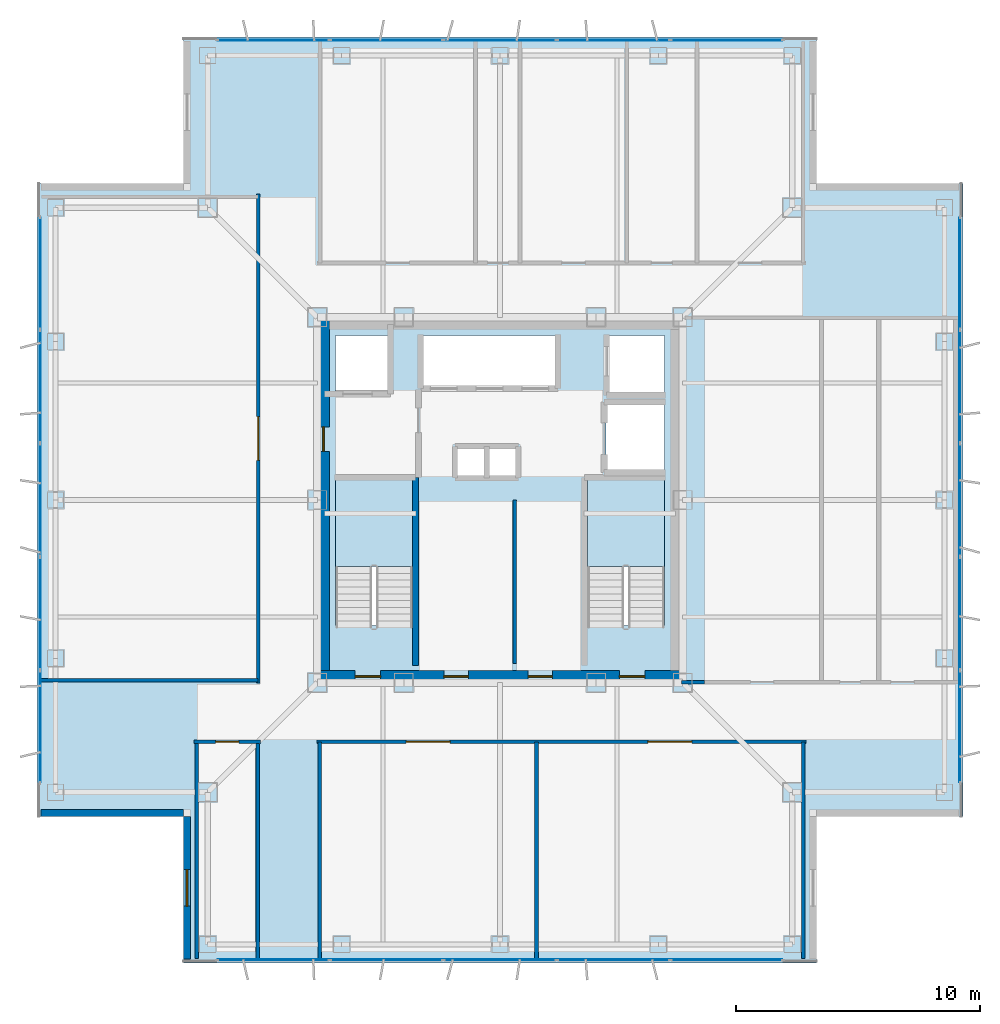
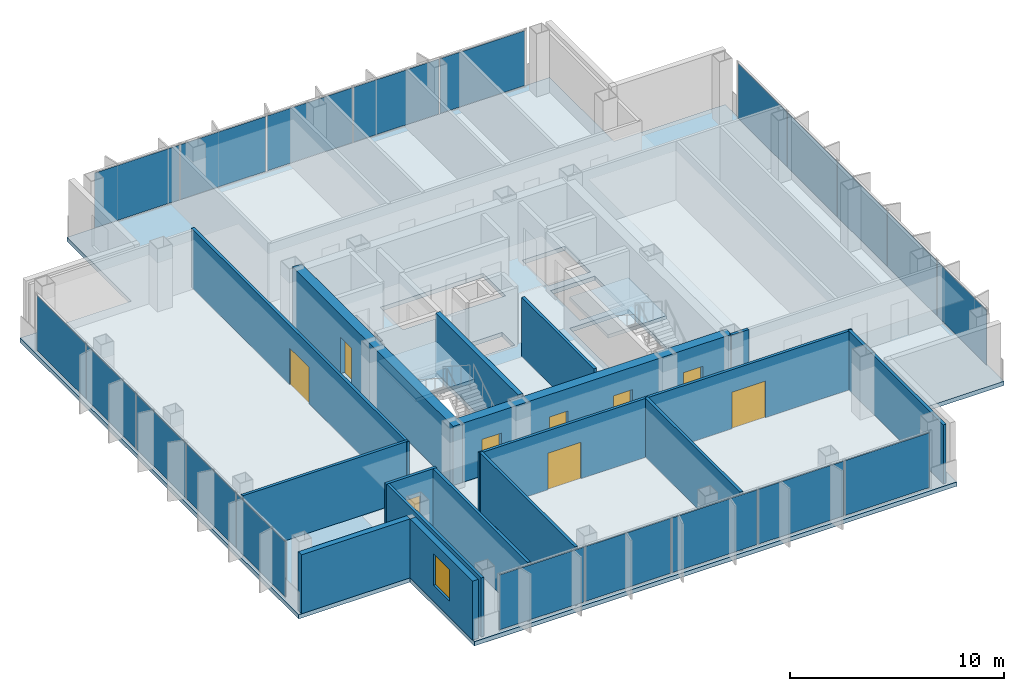
# One storey, part 7 of 15: 20 plates, 16 walls, 9 doors, 3 slabs, 1 window, 10 openings, 6 elements without a shape of their own.
"""IFC4 building model written with IfcOpenShell, lengths in metres."""

import ifcopenshell
import ifcopenshell.guid

model = None  # the IFC model being written
_history = None  # IfcOwnerHistory: only IFC2X3 demands one
_inside = {}  # id of a spatial element -> (the spatial element, [elements in it])
_under = {}  # id of a project, library or spatial element -> (it, [spatial elements below it])
_declared = {}  # id of a project -> (the project, [libraries it declares])
_typed = {}  # id of a type object -> (the type object, [elements of that type])
_made_of = {}  # id of a material, layer set ... -> (it, [elements and type objects made of it])


def new_model(schema):
    """Start an empty IFC model of exactly this schema.

    Asked for "IFC4X3", IfcOpenShell would pick the latest addendum, in which some entities
    have other attributes; the version numbers below select the first issue.
    IFC2X3 requires an IfcOwnerHistory on every rooted entity: one is made here for all.
    """
    global model, _history
    if schema == "IFC4X3":
        model = ifcopenshell.file(schema_version=(4, 3, 0, 0))
    else:
        model = ifcopenshell.file(schema=schema)
    _inside.clear()
    _under.clear()
    _declared.clear()
    _typed.clear()
    _made_of.clear()
    _history = None
    if model.schema == "IFC2X3":
        org = make("IfcOrganization", Name="unknown")
        user = make(
            "IfcPersonAndOrganization",
            ThePerson=make("IfcPerson", FamilyName="unknown"),
            TheOrganization=org,
        )
        app = make(
            "IfcApplication",
            ApplicationDeveloper=org,
            Version="unknown",
            ApplicationFullName="unknown",
            ApplicationIdentifier="unknown",
        )
        _history = make(
            "IfcOwnerHistory",
            OwningUser=user,
            OwningApplication=app,
            ChangeAction="ADDED",
            CreationDate=0,
        )
    return model


def make(cls, **values):
    """One entity of the class cls with the attributes given. An attribute that is None is left unset."""
    return model.create_entity(
        cls, **{name: value for name, value in values.items() if value is not None}
    )


def rooted(cls, **values):
    """An entity with a GlobalId (a new one), such as an element, a storey or a relation."""
    return make(cls, GlobalId=ifcopenshell.guid.new(), OwnerHistory=_history, **values)


def si_unit(unit_type, name, prefix=None):
    """IfcSIUnit, for example si_unit("LENGTHUNIT", "METRE", prefix="MILLI")."""
    return make("IfcSIUnit", UnitType=unit_type, Prefix=prefix, Name=name)


def assignment(units):
    """IfcUnitAssignment: the units of a project."""
    return None if units is None else make("IfcUnitAssignment", Units=units)


def point(xyz):
    """IfcCartesianPoint."""
    return None if xyz is None else make("IfcCartesianPoint", Coordinates=xyz)


def direction(xyz):
    """IfcDirection."""
    return None if xyz is None else make("IfcDirection", DirectionRatios=xyz)


def frame(location, z_axis=None, x_axis=None):
    """IfcAxis2Placement3D, a coordinate frame: its origin and axes. An axis left out is left unset."""
    return make(
        "IfcAxis2Placement3D",
        Location=point(location),
        Axis=direction(z_axis),
        RefDirection=direction(x_axis),
    )


def frame_2d(location, x_axis=None):
    """IfcAxis2Placement2D, a coordinate frame in the plane: its origin and x axis."""
    return make(
        "IfcAxis2Placement2D", Location=point(location), RefDirection=direction(x_axis)
    )


def origin():
    """The frame at (0, 0, 0) with its axes left unset."""
    return frame((0.0, 0.0, 0.0))


def origin_2d():
    """The frame at (0, 0) in the plane with its x axis left unset."""
    return frame_2d((0.0, 0.0))


def place(relative_to, where):
    """IfcLocalPlacement: puts the frame where relative to a parent placement (None: the world)."""
    return make(
        "IfcLocalPlacement", PlacementRelTo=relative_to, RelativePlacement=where
    )


def context(
    kind, dimensions, precision=None, world=None, true_north=None, identifier=None
):
    """IfcGeometricRepresentationContext, for example the 3D "Model" context."""
    return make(
        "IfcGeometricRepresentationContext",
        ContextIdentifier=identifier,
        ContextType=kind,
        CoordinateSpaceDimension=dimensions,
        Precision=precision,
        WorldCoordinateSystem=world,
        TrueNorth=true_north,
    )


def subcontext(parent, identifier, kind, view, scale=None):
    """IfcGeometricRepresentationSubContext, for example "Body" below "Model"."""
    return make(
        "IfcGeometricRepresentationSubContext",
        ContextIdentifier=identifier,
        ContextType=kind,
        ParentContext=parent,
        TargetScale=scale,
        TargetView=view,
    )


def project(units=None, contexts=None):
    """IfcProject with its units and contexts."""
    return rooted(
        "IfcProject",
        Name="project",
        RepresentationContexts=contexts,
        UnitsInContext=assignment(units),
    )


def spatial(cls, under=None, at=None, **own):
    """A site, building, storey or space (cls), placed at a placement, below another one or the project."""
    s = rooted(cls, ObjectPlacement=at, **own)
    if under is not None:
        _under.setdefault(under.id(), (under, []))[1].append(s)
    return s


def polyline(points):
    """IfcPolyline through the points."""
    return make("IfcPolyline", Points=[point(p) for p in points])


def profile(cls, at=None, kind="AREA", **sizes):
    """A parametric profile (cls). Its sizes go by their IFC names, for example OverallWidth=200.0."""
    return make(cls, ProfileType=kind, Position=at, **sizes)


def rectangle(**sizes):
    """IfcRectangleProfileDef."""
    return profile("IfcRectangleProfileDef", **sizes)


def outline(outer, holes=None, kind="AREA"):
    """IfcArbitraryClosedProfileDef: a profile drawn as a closed curve; with holes, ...WithVoids."""
    if holes is None:
        return make("IfcArbitraryClosedProfileDef", ProfileType=kind, OuterCurve=outer)
    return make(
        "IfcArbitraryProfileDefWithVoids",
        ProfileType=kind,
        OuterCurve=outer,
        InnerCurves=holes,
    )


def extrude(swept, where, along, depth):
    """IfcExtrudedAreaSolid: the profile swept, set in the frame where, extruded along a direction by depth."""
    return make(
        "IfcExtrudedAreaSolid",
        SweptArea=swept,
        Position=where,
        ExtrudedDirection=direction(along),
        Depth=depth,
    )


def shape(context_of_items, identifier, shape_type, items):
    """IfcShapeRepresentation: the items that make up one representation, for example the "Body"."""
    return make(
        "IfcShapeRepresentation",
        ContextOfItems=context_of_items,
        RepresentationIdentifier=identifier,
        RepresentationType=shape_type,
        Items=items,
    )


def material(Name=None, Category=None):
    """IfcMaterial."""
    return make("IfcMaterial", Name=Name, Category=Category)


def layer(
    of_material, thickness, ventilated=None, Name=None, Category=None, Priority=None
):
    """IfcMaterialLayer: one layer of a wall or slab, of a material (None: an air gap)."""
    return make(
        "IfcMaterialLayer",
        Material=of_material,
        LayerThickness=thickness,
        IsVentilated=ventilated,
        Name=Name,
        Category=Category,
        Priority=Priority,
    )


def layer_set(layers, Name=None):
    """IfcMaterialLayerSet."""
    return make("IfcMaterialLayerSet", MaterialLayers=layers, LayerSetName=Name)


def made_of(thing, what):
    """Note that an element or type object is made of a material, layer set ...; save() writes the relation."""
    if what is not None:
        _made_of.setdefault(what.id(), (what, []))[1].append(thing)
    return thing


def type_object(cls, material=None, **own):
    """A type object (cls), such as IfcWallType, which elements share."""
    return made_of(rooted(cls, **own), material)


def element(
    cls,
    number,
    at=None,
    inside=None,
    cuts=None,
    type_object=None,
    material=None,
    context=None,
    identifier="Body",
    shape_type=None,
    held_by="IfcProductDefinitionShape",
    body=None,
    shapes=None,
    **own,
):
    """One element of the class cls, such as IfcWall. Its Tag is "e" and its number.

    at: its placement. inside: the storey or other place that contains it. cuts: it is an
    opening in that element (IfcRelVoidsElement). A single representation is given by context,
    identifier, shape_type and body (its items); several are given by shapes. held_by: the class
    of the entity that holds the representations. save() writes the other relations.
    """
    e = rooted(cls, Tag="e%d" % number, ObjectPlacement=at, **own)
    if body is not None:
        shapes = [shape(context, identifier, shape_type, body)]
    if shapes is not None:
        e.Representation = make(held_by, Representations=shapes)
    if inside is not None:
        _inside.setdefault(inside.id(), (inside, []))[1].append(e)
    if cuts is not None:
        rooted(
            "IfcRelVoidsElement", RelatingBuildingElement=cuts, RelatedOpeningElement=e
        )
    if type_object is not None:
        _typed.setdefault(type_object.id(), (type_object, []))[1].append(e)
    return made_of(e, material)


def fill(opening, filler):
    """IfcRelFillsElement: the door or window that sits in an opening."""
    return rooted(
        "IfcRelFillsElement",
        RelatingOpeningElement=opening,
        RelatedBuildingElement=filler,
    )


def aggregate(whole, parts):
    """IfcRelAggregates: a whole, such as a stair, and the parts it consists of."""
    return rooted("IfcRelAggregates", RelatingObject=whole, RelatedObjects=parts)


def save(model, path):
    """Write the relations noted so far, then the file.

    IfcRelAggregates (storeys below a building ...), IfcRelContainedInSpatialStructure (elements
    in a storey), IfcRelDefinesByType, IfcRelAssociatesMaterial and IfcRelDeclares: one each for
    every whole, place, type object, material and project.
    """
    for whole, parts in _under.values():
        aggregate(whole, parts)
    for where, things in _inside.values():
        rooted(
            "IfcRelContainedInSpatialStructure",
            RelatedElements=things,
            RelatingStructure=where,
        )
    for kind, things in _typed.values():
        rooted("IfcRelDefinesByType", RelatedObjects=things, RelatingType=kind)
    for what, things in _made_of.values():
        rooted("IfcRelAssociatesMaterial", RelatedObjects=things, RelatingMaterial=what)
    for by, libraries in _declared.values():
        rooted("IfcRelDeclares", RelatingContext=by, RelatedDefinitions=libraries)
    model.write(path)


model = new_model("IFC4")

# Units and contexts
model_context = context("Model", 3, precision=1e-05, world=origin(), true_north=direction((0.0, 1.0)))
body_context = subcontext(model_context, "Body", "Model", "MODEL_VIEW")
ifc_project = project(units=[si_unit("LENGTHUNIT", "METRE"), si_unit("AREAUNIT", "SQUARE_METRE"), si_unit("VOLUMEUNIT", "CUBIC_METRE"), si_unit("PLANEANGLEUNIT", "RADIAN"), si_unit("MASSUNIT", "GRAM", prefix="KILO")], contexts=[model_context])

# Site, building, storey
site_placement = place(None, origin())
site = spatial("IfcSite", under=ifc_project, at=site_placement, CompositionType="ELEMENT")
building_placement = place(site_placement, origin())
building = spatial("IfcBuilding", under=site, at=building_placement, Name="Trevonay Congress Spire", CompositionType="ELEMENT")
storey_placement = place(building_placement, frame((0.0, 0.0, 272.0)))
storey = spatial("IfcBuildingStorey", under=building, at=storey_placement, Name="L71", CompositionType="ELEMENT", Elevation=272.0)

# Curtain wall, plates
ifc_material_1 = material(Name="Pale Anodised Aluminium EN AW-6063-T6", Category="aluminium")
ifc_layer_1 = layer(ifc_material_1, 0.1650390625, Name="Pale Anodised Aluminium EN AW-6063-T6")
ifc_layer_set_1 = layer_set([ifc_layer_1], Name="Pale Anodised Aluminium EN AW-6063-T6")
curtain_wall_type = type_object("IfcCurtainWallType", Name="CW-SYS05-DIPLOM-PALE-METAL", PredefinedType="NOTDEFINED", material=ifc_layer_set_1)
curtain_wall_1_placement = place(storey_placement, origin())
curtain_wall_1 = element("IfcCurtainWall", 1, at=curtain_wall_1_placement, inside=storey, type_object=curtain_wall_type, Name="L71 S unitised curtain wall", PredefinedType="NOTDEFINED")
ifc_material_2 = material(Name="Insulated Low-E Vision Glass IGU", Category="glass")
ifc_layer_2 = layer(ifc_material_2, 0.035888671875, Name="Insulated Low-E Vision Glass IGU")
ifc_layer_set_2 = layer_set([ifc_layer_2], Name="Insulated Low-E Vision Glass IGU")
plate_type = type_object("IfcPlateType", Name="CW-PANEL-IGU36-SILVER", PredefinedType="CURTAIN_PANEL", material=ifc_layer_set_2)
plate_1_placement = place(storey_placement, frame((-9.304931640625, -18.8798828125, 0.119873046875), z_axis=(0.0, 0.0, 1.0), x_axis=(1.0, 0.0, 0.0)))
plate_1 = element("IfcPlate", 2, at=plate_1_placement, type_object=plate_type, Name="CW05 panel 1.1", PredefinedType="CURTAIN_PANEL", context=body_context, shape_type="SweptSolid", body=[
    extrude(rectangle(XDim=4.570068359375, YDim=0.035888671875, at=origin_2d()), origin(), (0.0, 0.0, 1.0), 3.1201171875),
])
plate_2_placement = place(storey_placement, frame((-4.659912109375, -18.8798828125, 0.119873046875), z_axis=(0.0, 0.0, 1.0), x_axis=(1.0, 0.0, 0.0)))
plate_2 = element("IfcPlate", 3, at=plate_2_placement, type_object=plate_type, Name="CW05 panel 2.1", PredefinedType="CURTAIN_PANEL", context=body_context, shape_type="SweptSolid", body=[
    extrude(rectangle(XDim=4.60009765625, YDim=0.035888671875, at=origin_2d()), origin(), (0.0, 0.0, 1.0), 3.1201171875),
])
plate_3_placement = place(storey_placement, frame((0.0, -18.8798828125, 0.119873046875), z_axis=(0.0, 0.0, 1.0), x_axis=(1.0, 0.0, 0.0)))
plate_3 = element("IfcPlate", 4, at=plate_3_placement, type_object=plate_type, Name="CW05 panel 3.1", PredefinedType="CURTAIN_PANEL", context=body_context, shape_type="SweptSolid", body=[
    extrude(rectangle(XDim=4.60009765625, YDim=0.035888671875, at=origin_2d()), origin(), (0.0, 0.0, 1.0), 3.1201171875),
])
plate_4_placement = place(storey_placement, frame((4.659912109375, -18.8798828125, 0.119873046875), z_axis=(0.0, 0.0, 1.0), x_axis=(1.0, 0.0, 0.0)))
plate_4 = element("IfcPlate", 5, at=plate_4_placement, type_object=plate_type, Name="CW05 panel 4.1", PredefinedType="CURTAIN_PANEL", context=body_context, shape_type="SweptSolid", body=[
    extrude(rectangle(XDim=4.60009765625, YDim=0.035888671875, at=origin_2d()), origin(), (0.0, 0.0, 1.0), 3.1201171875),
])
plate_5_placement = place(storey_placement, frame((9.304931640625, -18.8798828125, 0.119873046875), z_axis=(0.0, 0.0, 1.0), x_axis=(1.0, 0.0, 0.0)))
plate_5 = element("IfcPlate", 6, at=plate_5_placement, type_object=plate_type, Name="CW05 panel 5.1", PredefinedType="CURTAIN_PANEL", context=body_context, shape_type="SweptSolid", body=[
    extrude(rectangle(XDim=4.570068359375, YDim=0.035888671875, at=origin_2d()), origin(), (0.0, 0.0, 1.0), 3.1201171875),
])
aggregate(curtain_wall_1, [plate_1, plate_2, plate_3, plate_4, plate_5])

curtain_wall_2_placement = place(storey_placement, origin())
curtain_wall_2 = element("IfcCurtainWall", 7, at=curtain_wall_2_placement, inside=storey, type_object=curtain_wall_type, Name="L71 N unitised curtain wall", PredefinedType="NOTDEFINED")
plate_6_placement = place(storey_placement, frame((-9.304931640625, 18.8798828125, 0.119873046875), z_axis=(0.0, 0.0, 1.0), x_axis=(1.0, 0.0, 0.0)))
plate_6 = element("IfcPlate", 8, at=plate_6_placement, type_object=plate_type, Name="CW05 panel 1.1", PredefinedType="CURTAIN_PANEL", context=body_context, shape_type="SweptSolid", body=[
    extrude(rectangle(XDim=4.570068359375, YDim=0.035888671875, at=origin_2d()), origin(), (0.0, 0.0, 1.0), 3.1201171875),
])
plate_7_placement = place(storey_placement, frame((-4.659912109375, 18.8798828125, 0.119873046875), z_axis=(0.0, 0.0, 1.0), x_axis=(1.0, 0.0, 0.0)))
plate_7 = element("IfcPlate", 9, at=plate_7_placement, type_object=plate_type, Name="CW05 panel 2.1", PredefinedType="CURTAIN_PANEL", context=body_context, shape_type="SweptSolid", body=[
    extrude(rectangle(XDim=4.60009765625, YDim=0.035888671875, at=origin_2d()), origin(), (0.0, 0.0, 1.0), 3.1201171875),
])
plate_8_placement = place(storey_placement, frame((0.0, 18.8798828125, 0.119873046875), z_axis=(0.0, 0.0, 1.0), x_axis=(1.0, 0.0, 0.0)))
plate_8 = element("IfcPlate", 10, at=plate_8_placement, type_object=plate_type, Name="CW05 panel 3.1", PredefinedType="CURTAIN_PANEL", context=body_context, shape_type="SweptSolid", body=[
    extrude(rectangle(XDim=4.60009765625, YDim=0.035888671875, at=origin_2d()), origin(), (0.0, 0.0, 1.0), 3.1201171875),
])
plate_9_placement = place(storey_placement, frame((4.659912109375, 18.8798828125, 0.119873046875), z_axis=(0.0, 0.0, 1.0), x_axis=(1.0, 0.0, 0.0)))
plate_9 = element("IfcPlate", 11, at=plate_9_placement, type_object=plate_type, Name="CW05 panel 4.1", PredefinedType="CURTAIN_PANEL", context=body_context, shape_type="SweptSolid", body=[
    extrude(rectangle(XDim=4.60009765625, YDim=0.035888671875, at=origin_2d()), origin(), (0.0, 0.0, 1.0), 3.1201171875),
])
plate_10_placement = place(storey_placement, frame((9.304931640625, 18.8798828125, 0.119873046875), z_axis=(0.0, 0.0, 1.0), x_axis=(1.0, 0.0, 0.0)))
plate_10 = element("IfcPlate", 12, at=plate_10_placement, type_object=plate_type, Name="CW05 panel 5.1", PredefinedType="CURTAIN_PANEL", context=body_context, shape_type="SweptSolid", body=[
    extrude(rectangle(XDim=4.570068359375, YDim=0.035888671875, at=origin_2d()), origin(), (0.0, 0.0, 1.0), 3.1201171875),
])
aggregate(curtain_wall_2, [plate_6, plate_7, plate_8, plate_9, plate_10])

curtain_wall_3_placement = place(storey_placement, origin())
curtain_wall_3 = element("IfcCurtainWall", 13, at=curtain_wall_3_placement, inside=storey, type_object=curtain_wall_type, Name="L71 W unitised curtain wall", PredefinedType="NOTDEFINED")
plate_11_placement = place(storey_placement, frame((-18.8798828125, -9.304931640625, 0.119873046875), z_axis=(0.0, 0.0, 1.0), x_axis=(0.0, 1.0, 0.0)))
plate_11 = element("IfcPlate", 14, at=plate_11_placement, type_object=plate_type, Name="CW05 panel 1.1", PredefinedType="CURTAIN_PANEL", context=body_context, shape_type="SweptSolid", body=[
    extrude(rectangle(XDim=4.570068359375, YDim=0.035888671875, at=origin_2d()), origin(), (0.0, 0.0, 1.0), 3.1201171875),
])
plate_12_placement = place(storey_placement, frame((-18.8798828125, -4.659912109375, 0.119873046875), z_axis=(0.0, 0.0, 1.0), x_axis=(0.0, 1.0, 0.0)))
plate_12 = element("IfcPlate", 15, at=plate_12_placement, type_object=plate_type, Name="CW05 panel 2.1", PredefinedType="CURTAIN_PANEL", context=body_context, shape_type="SweptSolid", body=[
    extrude(rectangle(XDim=4.60009765625, YDim=0.035888671875, at=origin_2d()), origin(), (0.0, 0.0, 1.0), 3.1201171875),
])
plate_13_placement = place(storey_placement, frame((-18.8798828125, 0.0, 0.119873046875), z_axis=(0.0, 0.0, 1.0), x_axis=(0.0, 1.0, 0.0)))
plate_13 = element("IfcPlate", 16, at=plate_13_placement, type_object=plate_type, Name="CW05 panel 3.1", PredefinedType="CURTAIN_PANEL", context=body_context, shape_type="SweptSolid", body=[
    extrude(rectangle(XDim=4.60009765625, YDim=0.035888671875, at=origin_2d()), origin(), (0.0, 0.0, 1.0), 3.1201171875),
])
plate_14_placement = place(storey_placement, frame((-18.8798828125, 4.659912109375, 0.119873046875), z_axis=(0.0, 0.0, 1.0), x_axis=(0.0, 1.0, 0.0)))
plate_14 = element("IfcPlate", 17, at=plate_14_placement, type_object=plate_type, Name="CW05 panel 4.1", PredefinedType="CURTAIN_PANEL", context=body_context, shape_type="SweptSolid", body=[
    extrude(rectangle(XDim=4.60009765625, YDim=0.035888671875, at=origin_2d()), origin(), (0.0, 0.0, 1.0), 3.1201171875),
])
plate_15_placement = place(storey_placement, frame((-18.8798828125, 9.304931640625, 0.119873046875), z_axis=(0.0, 0.0, 1.0), x_axis=(0.0, 1.0, 0.0)))
plate_15 = element("IfcPlate", 18, at=plate_15_placement, type_object=plate_type, Name="CW05 panel 5.1", PredefinedType="CURTAIN_PANEL", context=body_context, shape_type="SweptSolid", body=[
    extrude(rectangle(XDim=4.570068359375, YDim=0.035888671875, at=origin_2d()), origin(), (0.0, 0.0, 1.0), 3.1201171875),
])
aggregate(curtain_wall_3, [plate_11, plate_12, plate_13, plate_14, plate_15])

curtain_wall_4_placement = place(storey_placement, origin())
curtain_wall_4 = element("IfcCurtainWall", 19, at=curtain_wall_4_placement, inside=storey, type_object=curtain_wall_type, Name="L71 E unitised curtain wall", PredefinedType="NOTDEFINED")
plate_16_placement = place(storey_placement, frame((18.8798828125, -9.304931640625, 0.119873046875), z_axis=(0.0, 0.0, 1.0), x_axis=(0.0, 1.0, 0.0)))
plate_16 = element("IfcPlate", 20, at=plate_16_placement, type_object=plate_type, Name="CW05 panel 1.1", PredefinedType="CURTAIN_PANEL", context=body_context, shape_type="SweptSolid", body=[
    extrude(rectangle(XDim=4.570068359375, YDim=0.035888671875, at=origin_2d()), origin(), (0.0, 0.0, 1.0), 3.1201171875),
])
plate_17_placement = place(storey_placement, frame((18.8798828125, -4.659912109375, 0.119873046875), z_axis=(0.0, 0.0, 1.0), x_axis=(0.0, 1.0, 0.0)))
plate_17 = element("IfcPlate", 21, at=plate_17_placement, type_object=plate_type, Name="CW05 panel 2.1", PredefinedType="CURTAIN_PANEL", context=body_context, shape_type="SweptSolid", body=[
    extrude(rectangle(XDim=4.60009765625, YDim=0.035888671875, at=origin_2d()), origin(), (0.0, 0.0, 1.0), 3.1201171875),
])
plate_18_placement = place(storey_placement, frame((18.8798828125, 0.0, 0.119873046875), z_axis=(0.0, 0.0, 1.0), x_axis=(0.0, 1.0, 0.0)))
plate_18 = element("IfcPlate", 22, at=plate_18_placement, type_object=plate_type, Name="CW05 panel 3.1", PredefinedType="CURTAIN_PANEL", context=body_context, shape_type="SweptSolid", body=[
    extrude(rectangle(XDim=4.60009765625, YDim=0.035888671875, at=origin_2d()), origin(), (0.0, 0.0, 1.0), 3.1201171875),
])
plate_19_placement = place(storey_placement, frame((18.8798828125, 4.659912109375, 0.119873046875), z_axis=(0.0, 0.0, 1.0), x_axis=(0.0, 1.0, 0.0)))
plate_19 = element("IfcPlate", 23, at=plate_19_placement, type_object=plate_type, Name="CW05 panel 4.1", PredefinedType="CURTAIN_PANEL", context=body_context, shape_type="SweptSolid", body=[
    extrude(rectangle(XDim=4.60009765625, YDim=0.035888671875, at=origin_2d()), origin(), (0.0, 0.0, 1.0), 3.1201171875),
])
plate_20_placement = place(storey_placement, frame((18.8798828125, 9.304931640625, 0.119873046875), z_axis=(0.0, 0.0, 1.0), x_axis=(0.0, 1.0, 0.0)))
plate_20 = element("IfcPlate", 24, at=plate_20_placement, type_object=plate_type, Name="CW05 panel 5.1", PredefinedType="CURTAIN_PANEL", context=body_context, shape_type="SweptSolid", body=[
    extrude(rectangle(XDim=4.570068359375, YDim=0.035888671875, at=origin_2d()), origin(), (0.0, 0.0, 1.0), 3.1201171875),
])
aggregate(curtain_wall_4, [plate_16, plate_17, plate_18, plate_19, plate_20])

# Stair, slab
ifc_material_3 = material(Name="Concrete C40/50", Category="concrete")
stair_type_1 = type_object("IfcStairType", Name="STR-ST-1", PredefinedType="HALF_TURN_STAIR", material=ifc_material_3)
stair_1_placement = place(storey_placement, origin())
stair_1 = element("IfcStair", 25, at=stair_1_placement, inside=storey, type_object=stair_type_1, Name="L71 Protected Exit Stair ST-1", PredefinedType="HALF_TURN_STAIR")
ifc_layer_3 = layer(ifc_material_3, 0.199951171875, Name="Concrete C40/50")
ifc_layer_set_3 = layer_set([ifc_layer_3], Name="Concrete C40/50")
slab_type_1 = type_object("IfcSlabType", Name="SLB-STAIR-LAND-200", PredefinedType="LANDING", material=ifc_layer_set_3)
slab_1_placement = place(storey_placement, frame((0.0, 0.0, 1.60009765625)))
slab_1 = element("IfcSlab", 26, at=slab_1_placement, type_object=slab_type_1, Name="ST-1 landing 1", PredefinedType="LANDING", context=body_context, shape_type="SweptSolid", body=[
    extrude(outline(polyline([(-3.60009765625, -2.72998046875), (-3.60009765625, 0.85009765625), (-6.75, 0.85009765625), (-6.75, -2.72998046875), (-3.60009765625, -2.72998046875)])), origin(), (0.0, 0.0, 1.0), 0.199951171875),
])
aggregate(stair_1, [slab_1])

stair_type_2 = type_object("IfcStairType", Name="STR-ST-2", PredefinedType="HALF_TURN_STAIR", material=ifc_material_3)
stair_2_placement = place(storey_placement, origin())
stair_2 = element("IfcStair", 27, at=stair_2_placement, inside=storey, type_object=stair_type_2, Name="L71 Protected Exit Stair ST-2", PredefinedType="HALF_TURN_STAIR")
slab_2_placement = place(storey_placement, frame((0.0, 0.0, 1.60009765625)))
slab_2 = element("IfcSlab", 28, at=slab_2_placement, type_object=slab_type_1, Name="ST-2 landing 1", PredefinedType="LANDING", context=body_context, shape_type="SweptSolid", body=[
    extrude(outline(polyline([(6.75, -2.72998046875), (6.75, 0.85009765625), (3.60009765625, 0.85009765625), (3.60009765625, -2.72998046875), (6.75, -2.72998046875)])), origin(), (0.0, 0.0, 1.0), 0.199951171875),
])
aggregate(stair_2, [slab_2])

# Slab
ifc_layer_4 = layer(ifc_material_3, 0.239990234375, Name="Concrete C40/50")
ifc_layer_set_4 = layer_set([ifc_layer_4], Name="Concrete C40/50")
slab_type_2 = type_object("IfcSlabType", Name="SLB-TOW2-240", PredefinedType="FLOOR", material=ifc_layer_set_4)
slab_3_placement = place(storey_placement, frame((0.0, 0.0, -0.239990234375)))
element("IfcSlab", 29, at=slab_3_placement, inside=storey, type_object=slab_type_2, Name="L71 structural floor slab", PredefinedType="FLOOR", context=body_context, shape_type="SweptSolid", body=[
    extrude(outline(polyline([(-13.0, -19.0), (13.0, -19.0), (13.0, -13.0), (19.0, -13.0), (19.0, 13.0), (13.0, 13.0), (13.0, 19.0), (-13.0, 19.0), (-13.0, 13.0), (-19.0, 13.0), (-19.0, -13.0), (-13.0, -13.0), (-13.0, -19.0)]), holes=[polyline([(-3.60009765625, -5.14990234375), (-3.60009765625, 0.85009765625), (-6.75, 0.85009765625), (-6.75, -5.14990234375), (-3.60009765625, -5.14990234375)]), polyline([(6.75, -5.14990234375), (6.75, 0.85009765625), (3.60009765625, 0.85009765625), (3.60009765625, -5.14990234375), (6.75, -5.14990234375)]), polyline([(-3.199951171875, 4.64990234375), (2.340087890625, 4.64990234375), (2.340087890625, 6.75), (-3.199951171875, 6.75), (-3.199951171875, 4.64990234375)]), polyline([(-6.75, 4.35009765625), (-4.449951171875, 4.35009765625), (-4.449951171875, 6.75), (-6.75, 6.75), (-6.75, 4.35009765625)]), polyline([(4.449951171875, 4.35009765625), (6.75, 4.35009765625), (6.75, 6.75), (4.449951171875, 6.75), (4.449951171875, 4.35009765625)]), polyline([(4.35009765625, 1.199951171875), (6.75, 1.199951171875), (6.75, 3.949951171875), (4.35009765625, 3.949951171875), (4.35009765625, 1.199951171875)]), polyline([(-1.800048828125, 0.949951171875), (0.699951171875, 0.949951171875), (0.699951171875, 2.14990234375), (-1.800048828125, 2.14990234375), (-1.800048828125, 0.949951171875)])]), origin(), (0.0, 0.0, 1.0), 0.239990234375),
])

# Wall, openings, doors
ifc_material_4 = material(Name="Concrete C50/60", Category="concrete")
ifc_layer_5 = layer(ifc_material_4, 0.5, Name="Concrete C50/60")
ifc_layer_set_5 = layer_set([ifc_layer_5], Name="Concrete C50/60")
wall_type_1 = type_object("IfcWallType", Name="WAL-CORE-500", PredefinedType="SHEAR", material=ifc_layer_set_5)
wall_1_placement = place(storey_placement, frame((-7.5, -7.25, 0.0), z_axis=(0.0, 0.0, 1.0), x_axis=(1.0, 0.0, 0.0)))
wall_1 = element("IfcWall", 30, at=wall_1_placement, inside=storey, type_object=wall_type_1, Name="L71 South structural core shear wall", PredefinedType="SHEAR", context=body_context, shape_type="SweptSolid", body=[
    extrude(rectangle(XDim=15.0, YDim=0.5, at=frame_2d((7.5, 0.0))), origin(), (0.0, 0.0, 1.0), 3.360107421875),
])
opening_1_placement = place(wall_1_placement, frame((1.550048828125, 0.0, 0.0)))
opening_1 = element("IfcOpeningElement", 31, at=opening_1_placement, cuts=wall_1, Name="Opening D05", PredefinedType="OPENING", context=body_context, shape_type="SweptSolid", body=[
    extrude(rectangle(XDim=1.050048828125, YDim=2.080078125, at=frame_2d((0.52490234375, 1.0400390625))), frame((0.0, 0.260009765625, 0.0), z_axis=(0.0, -1.0, 0.0), x_axis=(1.0, 0.0, 0.0)), (0.0, 0.0, 1.0), 0.52001953125),
])
opening_2_placement = place(wall_1_placement, frame((12.39990234375, 0.0, 0.0)))
opening_2 = element("IfcOpeningElement", 32, at=opening_2_placement, cuts=wall_1, Name="Opening D05", PredefinedType="OPENING", context=body_context, shape_type="SweptSolid", body=[
    extrude(rectangle(XDim=1.050048828125, YDim=2.080078125, at=frame_2d((0.52490234375, 1.0400390625))), frame((0.0, 0.260009765625, 0.0), z_axis=(0.0, -1.0, 0.0), x_axis=(1.0, 0.0, 0.0)), (0.0, 0.0, 1.0), 0.52001953125),
])
opening_3_placement = place(wall_1_placement, frame((5.199951171875, 0.0, 0.0)))
opening_3 = element("IfcOpeningElement", 33, at=opening_3_placement, cuts=wall_1, Name="Opening D06", PredefinedType="OPENING", context=body_context, shape_type="SweptSolid", body=[
    extrude(rectangle(XDim=1.0, YDim=2.080078125, at=frame_2d((0.5, 1.0400390625))), frame((0.0, 0.260009765625, 0.0), z_axis=(0.0, -1.0, 0.0), x_axis=(1.0, 0.0, 0.0)), (0.0, 0.0, 1.0), 0.52001953125),
])
opening_4_placement = place(wall_1_placement, frame((8.64990234375, 0.0, 0.0)))
opening_4 = element("IfcOpeningElement", 34, at=opening_4_placement, cuts=wall_1, Name="Opening D06", PredefinedType="OPENING", context=body_context, shape_type="SweptSolid", body=[
    extrude(rectangle(XDim=1.0, YDim=2.080078125, at=frame_2d((0.5, 1.0400390625))), frame((0.0, 0.260009765625, 0.0), z_axis=(0.0, -1.0, 0.0), x_axis=(1.0, 0.0, 0.0)), (0.0, 0.0, 1.0), 0.52001953125),
])
ifc_material_5 = material(Name="Steel ASTM A572 Grade 50", Category="steel")
door_type_1 = type_object("IfcDoorType", Name="DOR-FIRE-100", OperationType="NOTDEFINED", PredefinedType="DOOR", material=ifc_material_5)
door_1_placement = place(opening_3_placement, origin())
door_1 = element("IfcDoor", 35, at=door_1_placement, inside=storey, type_object=door_type_1, Name="L71 South Core Room 1 Door", OperationType="SINGLE_SWING_LEFT", OverallHeight=2.080078125, OverallWidth=1.0, PredefinedType="DOOR", context=body_context, shape_type="SweptSolid", body=[
    extrude(rectangle(XDim=1.0, YDim=2.080078125, at=frame_2d((0.5, 1.0400390625))), frame((0.0, 0.02490234375, 0.0), z_axis=(0.0, -1.0, 0.0), x_axis=(1.0, 0.0, 0.0)), (0.0, 0.0, 1.0), 0.050048828125),
])
fill(opening_3, door_1)
door_2_placement = place(opening_4_placement, origin())
door_2 = element("IfcDoor", 36, at=door_2_placement, inside=storey, type_object=door_type_1, Name="L71 South Core Room 2 Door", OperationType="SINGLE_SWING_RIGHT", OverallHeight=2.080078125, OverallWidth=1.0, PredefinedType="DOOR", context=body_context, shape_type="SweptSolid", body=[
    extrude(rectangle(XDim=1.0, YDim=2.080078125, at=frame_2d((0.5, 1.0400390625))), frame((0.0, 0.02490234375, 0.0), z_axis=(0.0, -1.0, 0.0), x_axis=(1.0, 0.0, 0.0)), (0.0, 0.0, 1.0), 0.050048828125),
])
fill(opening_4, door_2)
door_type_2 = type_object("IfcDoorType", Name="DOR-STAIR-110", OperationType="NOTDEFINED", PredefinedType="DOOR", material=ifc_material_5)
door_3_placement = place(opening_1_placement, origin())
door_3 = element("IfcDoor", 37, at=door_3_placement, inside=storey, type_object=door_type_2, Name="L71 Protected Stair ST-1 Door", OperationType="SINGLE_SWING_RIGHT", OverallHeight=2.080078125, OverallWidth=1.050048828125, PredefinedType="DOOR", context=body_context, shape_type="SweptSolid", body=[
    extrude(rectangle(XDim=1.050048828125, YDim=2.080078125, at=frame_2d((0.52490234375, 1.0400390625))), frame((0.0, 0.02490234375, 0.0), z_axis=(0.0, -1.0, 0.0), x_axis=(1.0, 0.0, 0.0)), (0.0, 0.0, 1.0), 0.050048828125),
])
fill(opening_1, door_3)
door_4_placement = place(opening_2_placement, origin())
door_4 = element("IfcDoor", 38, at=door_4_placement, inside=storey, type_object=door_type_2, Name="L71 Protected Stair ST-2 Door", OperationType="SINGLE_SWING_LEFT", OverallHeight=2.080078125, OverallWidth=1.050048828125, PredefinedType="DOOR", context=body_context, shape_type="SweptSolid", body=[
    extrude(rectangle(XDim=1.050048828125, YDim=2.080078125, at=frame_2d((0.52490234375, 1.0400390625))), frame((0.0, 0.02490234375, 0.0), z_axis=(0.0, -1.0, 0.0), x_axis=(1.0, 0.0, 0.0)), (0.0, 0.0, 1.0), 0.050048828125),
])
fill(opening_2, door_4)

# Wall, opening, door
wall_2_placement = place(storey_placement, frame((-7.25, -7.5, 0.0), z_axis=(0.0, 0.0, 1.0), x_axis=(0.0, 1.0, 0.0)))
wall_2 = element("IfcWall", 39, at=wall_2_placement, inside=storey, type_object=wall_type_1, Name="L71 West structural core shear wall", PredefinedType="SHEAR", context=body_context, shape_type="SweptSolid", body=[
    extrude(rectangle(XDim=15.0, YDim=0.5, at=frame_2d((7.5, 0.0))), origin(), (0.0, 0.0, 1.0), 3.360107421875),
])
opening_5_placement = place(wall_2_placement, frame((9.5, 0.0, 0.0)))
opening_5 = element("IfcOpeningElement", 40, at=opening_5_placement, cuts=wall_2, Name="Opening D06", PredefinedType="OPENING", context=body_context, shape_type="SweptSolid", body=[
    extrude(rectangle(XDim=1.0, YDim=2.080078125, at=frame_2d((0.5, 1.0400390625))), frame((0.0, 0.260009765625, 0.0), z_axis=(0.0, -1.0, 0.0), x_axis=(1.0, 0.0, 0.0)), (0.0, 0.0, 1.0), 0.52001953125),
])
door_5_placement = place(opening_5_placement, origin())
door_5 = element("IfcDoor", 41, at=door_5_placement, inside=storey, type_object=door_type_1, Name="L71 Firefighting Lift Lobby West Corridor Door", OperationType="SINGLE_SWING_RIGHT", OverallHeight=2.080078125, OverallWidth=1.0, PredefinedType="DOOR", context=body_context, shape_type="SweptSolid", body=[
    extrude(rectangle(XDim=1.0, YDim=2.080078125, at=frame_2d((0.5, 1.0400390625))), frame((0.0, 0.02490234375, 0.0), z_axis=(0.0, -1.0, 0.0), x_axis=(1.0, 0.0, 0.0)), (0.0, 0.0, 1.0), 0.050048828125),
])
fill(opening_5, door_5)

ifc_layer_6 = layer(ifc_material_3, 0.14990234375, Name="Concrete C40/50")
ifc_layer_set_6 = layer_set([ifc_layer_6], Name="Concrete C40/50")
wall_type_2 = type_object("IfcWallType", Name="WAL-CORR-150", PredefinedType="PARTITIONING", material=ifc_layer_set_6)
wall_3_placement = place(storey_placement, frame((-12.570068359375, -9.929931640625, 0.0), z_axis=(0.0, 0.0, 1.0), x_axis=(1.0, 0.0, 0.0)))
wall_3 = element("IfcWall", 42, at=wall_3_placement, inside=storey, type_object=wall_type_2, Name="L71 interior wall WP-L71SW-COR", PredefinedType="PARTITIONING", context=body_context, shape_type="SweptSolid", body=[
    extrude(rectangle(XDim=2.739990234375, YDim=0.14990234375, at=frame_2d((1.3701171875, 0.0))), origin(), (0.0, 0.0, 1.0), 3.360107421875),
])
opening_6_placement = place(wall_3_placement, frame((0.89501953125, 0.0, 0.0)))
opening_6 = element("IfcOpeningElement", 43, at=opening_6_placement, cuts=wall_3, Name="Opening D07", PredefinedType="OPENING", context=body_context, shape_type="SweptSolid", body=[
    extrude(rectangle(XDim=0.949951171875, YDim=2.06005859375, at=frame_2d((0.47509765625, 1.030029296875))), frame((0.0, 0.0849609375, 0.0), z_axis=(0.0, -1.0, 0.0), x_axis=(1.0, 0.0, 0.0)), (0.0, 0.0, 1.0), 0.169921875),
])
door_type_3 = type_object("IfcDoorType", Name="DOR-OFFICE-95", OperationType="NOTDEFINED", PredefinedType="DOOR", material=ifc_material_1)
door_6_placement = place(opening_6_placement, origin())
door_6 = element("IfcDoor", 44, at=door_6_placement, inside=storey, type_object=door_type_3, Name="L71 Horizon Telescope Lounge Door", OperationType="SINGLE_SWING_RIGHT", OverallHeight=2.06005859375, OverallWidth=0.949951171875, PredefinedType="DOOR", context=body_context, shape_type="SweptSolid", body=[
    extrude(rectangle(XDim=0.949951171875, YDim=2.06005859375, at=frame_2d((0.47509765625, 1.030029296875))), frame((0.0, 0.02490234375, 0.0), z_axis=(0.0, -1.0, 0.0), x_axis=(1.0, 0.0, 0.0)), (0.0, 0.0, 1.0), 0.050048828125),
])
fill(opening_6, door_6)

# Wall, openings, doors
wall_4_placement = place(storey_placement, frame((-7.52001953125, -9.929931640625, 0.0), z_axis=(0.0, 0.0, 1.0), x_axis=(1.0, 0.0, 0.0)))
wall_4 = element("IfcWall", 45, at=wall_4_placement, inside=storey, type_object=wall_type_2, Name="L71 interior wall WP-L71SE-COR", PredefinedType="PARTITIONING", context=body_context, shape_type="SweptSolid", body=[
    extrude(rectangle(XDim=20.090087890625, YDim=0.14990234375, at=frame_2d((10.044921875, 0.0))), origin(), (0.0, 0.0, 1.0), 3.360107421875),
])
opening_7_placement = place(wall_4_placement, frame((3.669921875, 0.0, 0.0)))
opening_7 = element("IfcOpeningElement", 46, at=opening_7_placement, cuts=wall_4, Name="Opening D09", PredefinedType="OPENING", context=body_context, shape_type="SweptSolid", body=[
    extrude(rectangle(XDim=1.800048828125, YDim=2.080078125, at=frame_2d((0.89990234375, 1.0400390625))), frame((0.0, 0.0849609375, 0.0), z_axis=(0.0, -1.0, 0.0), x_axis=(1.0, 0.0, 0.0)), (0.0, 0.0, 1.0), 0.169921875),
])
opening_8_placement = place(wall_4_placement, frame((13.594970703125, 0.0, 0.0)))
opening_8 = element("IfcOpeningElement", 47, at=opening_8_placement, cuts=wall_4, Name="Opening D09", PredefinedType="OPENING", context=body_context, shape_type="SweptSolid", body=[
    extrude(rectangle(XDim=1.800048828125, YDim=2.080078125, at=frame_2d((0.89990234375, 1.0400390625))), frame((0.0, 0.0849609375, 0.0), z_axis=(0.0, -1.0, 0.0), x_axis=(1.0, 0.0, 0.0)), (0.0, 0.0, 1.0), 0.169921875),
])
door_type_4 = type_object("IfcDoorType", Name="DOR-CONF-DBL", OperationType="DOUBLE_DOOR_SINGLE_SWING", PredefinedType="DOOR", material=ifc_material_1)
door_7_placement = place(opening_7_placement, origin())
door_7 = element("IfcDoor", 48, at=door_7_placement, inside=storey, type_object=door_type_4, Name="L71 Contemporary Latin Art Gallery Lounge Door", OperationType="DOUBLE_DOOR_SINGLE_SWING", OverallHeight=2.080078125, OverallWidth=1.800048828125, PredefinedType="DOOR", context=body_context, shape_type="SweptSolid", body=[
    extrude(rectangle(XDim=1.800048828125, YDim=2.080078125, at=frame_2d((0.89990234375, 1.0400390625))), frame((0.0, 0.02490234375, 0.0), z_axis=(0.0, -1.0, 0.0), x_axis=(1.0, 0.0, 0.0)), (0.0, 0.0, 1.0), 0.050048828125),
])
fill(opening_7, door_7)
door_8_placement = place(opening_8_placement, origin())
door_8 = element("IfcDoor", 49, at=door_8_placement, inside=storey, type_object=door_type_4, Name="L71 Sculpture Terrace Salon Lounge Door", OperationType="DOUBLE_DOOR_SINGLE_SWING", OverallHeight=2.080078125, OverallWidth=1.800048828125, PredefinedType="DOOR", context=body_context, shape_type="SweptSolid", body=[
    extrude(rectangle(XDim=1.800048828125, YDim=2.080078125, at=frame_2d((0.89990234375, 1.0400390625))), frame((0.0, 0.02490234375, 0.0), z_axis=(0.0, -1.0, 0.0), x_axis=(1.0, 0.0, 0.0)), (0.0, 0.0, 1.0), 0.050048828125),
])
fill(opening_8, door_8)

# Wall, opening, door
wall_5_placement = place(storey_placement, frame((-9.929931640625, -7.52001953125, 0.0), z_axis=(0.0, 0.0, 1.0), x_axis=(0.0, 1.0, 0.0)))
wall_5 = element("IfcWall", 50, at=wall_5_placement, inside=storey, type_object=wall_type_2, Name="L71 interior wall WP-L71NW-COR", PredefinedType="PARTITIONING", context=body_context, shape_type="SweptSolid", body=[
    extrude(rectangle(XDim=20.090087890625, YDim=0.14990234375, at=frame_2d((10.044921875, 0.0))), origin(), (0.0, 0.0, 1.0), 3.360107421875),
])
opening_9_placement = place(wall_5_placement, frame((9.14501953125, 0.0, 0.0)))
opening_9 = element("IfcOpeningElement", 51, at=opening_9_placement, cuts=wall_5, Name="Opening D09", PredefinedType="OPENING", context=body_context, shape_type="SweptSolid", body=[
    extrude(rectangle(XDim=1.800048828125, YDim=2.080078125, at=frame_2d((0.89990234375, 1.0400390625))), frame((0.0, 0.0849609375, 0.0), z_axis=(0.0, -1.0, 0.0), x_axis=(1.0, 0.0, 0.0)), (0.0, 0.0, 1.0), 0.169921875),
])
door_9_placement = place(opening_9_placement, origin())
door_9 = element("IfcDoor", 52, at=door_9_placement, inside=storey, type_object=door_type_4, Name="L71 Oceanographic Cartography Reading Lounge Door", OperationType="DOUBLE_DOOR_SINGLE_SWING", OverallHeight=2.080078125, OverallWidth=1.800048828125, PredefinedType="DOOR", context=body_context, shape_type="SweptSolid", body=[
    extrude(rectangle(XDim=1.800048828125, YDim=2.080078125, at=frame_2d((0.89990234375, 1.0400390625))), frame((0.0, 0.02490234375, 0.0), z_axis=(0.0, -1.0, 0.0), x_axis=(1.0, 0.0, 0.0)), (0.0, 0.0, 1.0), 0.050048828125),
])
fill(opening_9, door_9)

# Wall
wall_6_placement = place(storey_placement, frame((7.449951171875, -7.47998046875, 0.0), z_axis=(0.0, 0.0, 1.0), x_axis=(1.0, 0.0, 0.0)))
element("IfcWall", 53, at=wall_6_placement, inside=storey, type_object=wall_type_2, Name="L71 interior wall WP-L71E-STUB", PredefinedType="PARTITIONING", context=body_context, shape_type="SweptSolid", body=[
    extrude(rectangle(XDim=0.949951171875, YDim=0.14990234375, at=frame_2d((0.47509765625, 0.0))), origin(), (0.0, 0.0, 1.0), 3.360107421875),
])

# Wall, opening, window
ifc_material_6 = material(Name="Precast concrete C40/50", Category="concrete")
ifc_layer_7 = layer(ifc_material_6, 0.300048828125, Name="Precast concrete C40/50")
ifc_layer_set_7 = layer_set([ifc_layer_7], Name="Precast concrete C40/50")
wall_type_3 = type_object("IfcWallType", Name="WAL-EXT-PRECAST-300", PredefinedType="SOLIDWALL", material=ifc_layer_set_7)
wall_7_placement = place(storey_placement, frame((-12.85009765625, -18.85009765625, 0.0), z_axis=(0.0, 0.0, 1.0), x_axis=(0.0, 1.0, 0.0)))
wall_7 = element("IfcWall", 54, at=wall_7_placement, inside=storey, type_object=wall_type_3, Name="L71 SW re-entrant notch exterior wall 1", PredefinedType="SOLIDWALL", context=body_context, shape_type="SweptSolid", body=[
    extrude(rectangle(XDim=5.85009765625, YDim=0.300048828125, at=frame_2d((2.925048828125, 0.0))), origin(), (0.0, 0.0, 1.0), 3.360107421875),
])
opening_10_placement = place(wall_7_placement, frame((2.175048828125, 0.0, 0.89990234375)))
opening_10 = element("IfcOpeningElement", 55, at=opening_10_placement, cuts=wall_7, Name="Opening WN03", PredefinedType="OPENING", context=body_context, shape_type="SweptSolid", body=[
    extrude(rectangle(XDim=1.5, YDim=1.800048828125, at=frame_2d((0.75, 0.89990234375))), frame((0.0, 0.16015625, 0.0), z_axis=(0.0, -1.0, 0.0), x_axis=(1.0, 0.0, 0.0)), (0.0, 0.0, 1.0), 0.320068359375),
])
window_type = type_object("IfcWindowType", Name="WIN-NOTCH-150X180", PartitioningType="SINGLE_PANEL", PredefinedType="WINDOW", material=ifc_material_2)
window_placement = place(opening_10_placement, origin())
window = element("IfcWindow", 56, at=window_placement, inside=storey, type_object=window_type, Name="L71 SW corner notch window", OverallHeight=1.800048828125, OverallWidth=1.5, PartitioningType="SINGLE_PANEL", PredefinedType="WINDOW", context=body_context, shape_type="SweptSolid", body=[
    extrude(rectangle(XDim=1.5, YDim=1.800048828125, at=frame_2d((0.75, 0.89990234375))), frame((0.0, 0.030029296875, 0.0), z_axis=(0.0, -1.0, 0.0), x_axis=(1.0, 0.0, 0.0)), (0.0, 0.0, 1.0), 0.06005859375),
])
fill(opening_10, window)

# Walls
wall_8_placement = place(storey_placement, frame((-18.85009765625, -12.85009765625, 0.0), z_axis=(0.0, 0.0, 1.0), x_axis=(1.0, 0.0, 0.0)))
element("IfcWall", 57, at=wall_8_placement, inside=storey, type_object=wall_type_3, Name="L71 SW re-entrant notch exterior wall 2", PredefinedType="SOLIDWALL", context=body_context, shape_type="SweptSolid", body=[
    extrude(rectangle(XDim=5.85009765625, YDim=0.300048828125, at=frame_2d((2.925048828125, 0.0))), origin(), (0.0, 0.0, 1.0), 3.360107421875),
])
ifc_layer_8 = layer(ifc_material_3, 0.14990234375, Name="Concrete C40/50")
ifc_layer_set_8 = layer_set([ifc_layer_8], Name="Concrete C40/50")
wall_type_4 = type_object("IfcWallType", Name="WAL-PART-150", PredefinedType="PARTITIONING", material=ifc_layer_set_8)
wall_9_placement = place(storey_placement, frame((0.60009765625, -6.719970703125, 0.0), z_axis=(0.0, 0.0, 1.0), x_axis=(0.0, 1.0, 0.0)))
element("IfcWall", 58, at=wall_9_placement, inside=storey, type_object=wall_type_4, Name="L71 interior wall CW-F1V-L71", PredefinedType="PARTITIONING", context=body_context, shape_type="SweptSolid", body=[
    extrude(rectangle(XDim=6.719970703125, YDim=0.14990234375, at=frame_2d((3.35986328125, 0.0))), origin(), (0.0, 0.0, 1.0), 3.360107421875),
])
for number, where, z_axis, x_axis, name in (
    (59, (-12.449951171875, -18.820068359375, 0.0), (0.0, 0.0, 1.0), (0.0, 1.0, 0.0), "L71 interior wall WP-L71SW-DIV1"),
    (60, (-9.949951171875, -18.820068359375, 0.0), (0.0, 0.0, 1.0), (0.0, 1.0, 0.0), "L71 interior wall WP-L71SW-DIV2"),
    (61, (-7.39990234375, -18.820068359375, 0.0), (0.0, 0.0, 1.0), (0.0, 1.0, 0.0), "L71 interior wall WP-L71SE-DIV1"),
    (62, (1.5, -18.820068359375, 0.0), (0.0, 0.0, 1.0), (0.0, 1.0, 0.0), "L71 interior wall WP-L71SE-DIV2"),
    (63, (12.449951171875, -18.820068359375, 0.0), (0.0, 0.0, 1.0), (0.0, 1.0, 0.0), "L71 interior wall WP-L71SE-DIV3"),
    (64, (-18.820068359375, -7.39990234375, 0.0), (0.0, 0.0, 1.0), (1.0, 0.0, 0.0), "L71 interior wall WP-L71NW-DIV1"),
):
    element("IfcWall", number, at=place(storey_placement, frame(where, z_axis=z_axis, x_axis=x_axis)), inside=storey, type_object=wall_type_4, Name=name, PredefinedType="PARTITIONING", context=body_context, shape_type="SweptSolid", body=[
        extrude(rectangle(XDim=8.89013671875, YDim=0.14990234375, at=frame_2d((4.445068359375, 0.0))), origin(), (0.0, 0.0, 1.0), 3.360107421875),
    ])
ifc_layer_9 = layer(ifc_material_3, 0.25, Name="Concrete C40/50")
ifc_layer_set_9 = layer_set([ifc_layer_9], Name="Concrete C40/50")
wall_type_5 = type_object("IfcWallType", Name="WAL-SHAFT-LB-250", PredefinedType="SHEAR", material=ifc_layer_set_9)
wall_10_placement = place(storey_placement, frame((-3.469970703125, -6.800048828125, 0.0), z_axis=(0.0, 0.0, 1.0), x_axis=(0.0, 1.0, 0.0)))
element("IfcWall", 65, at=wall_10_placement, inside=storey, type_object=wall_type_5, Name="L71 interior shaft wall WSH-L71-ST1-E", PredefinedType="SHEAR", context=body_context, shape_type="SweptSolid", body=[
    extrude(rectangle(XDim=7.719970703125, YDim=0.25, at=frame_2d((3.85986328125, 0.0))), origin(), (0.0, 0.0, 1.0), 3.360107421875),
])

save(model, "model.ifc")
